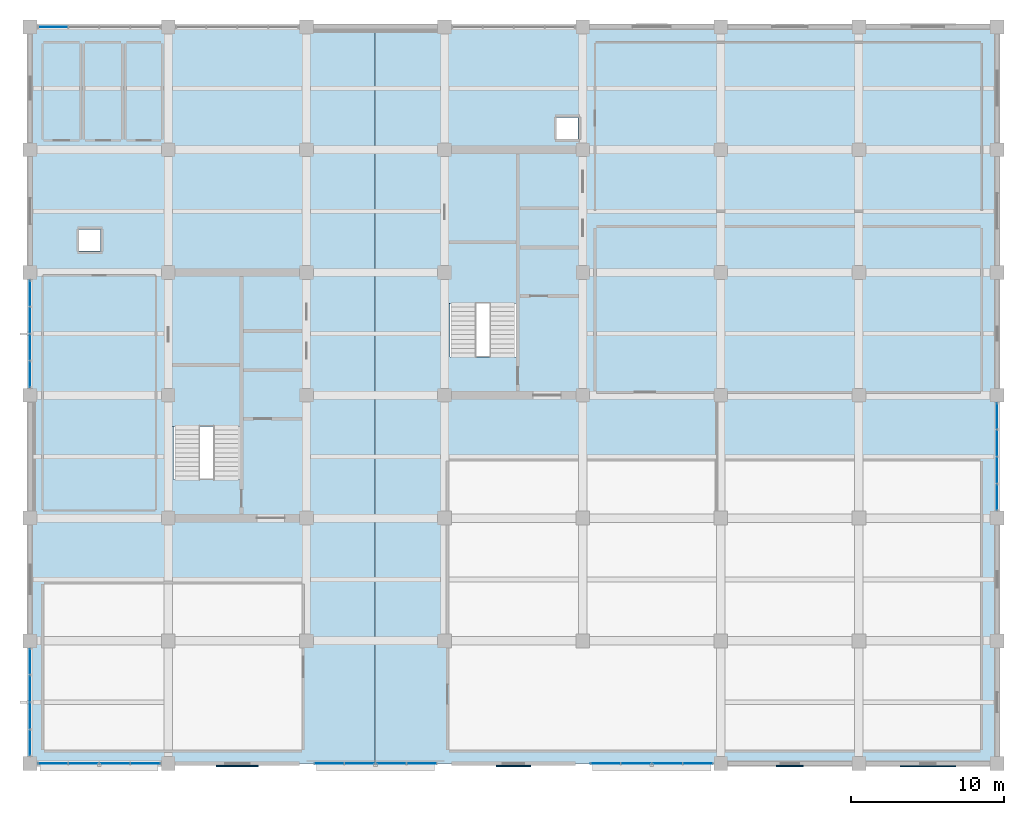
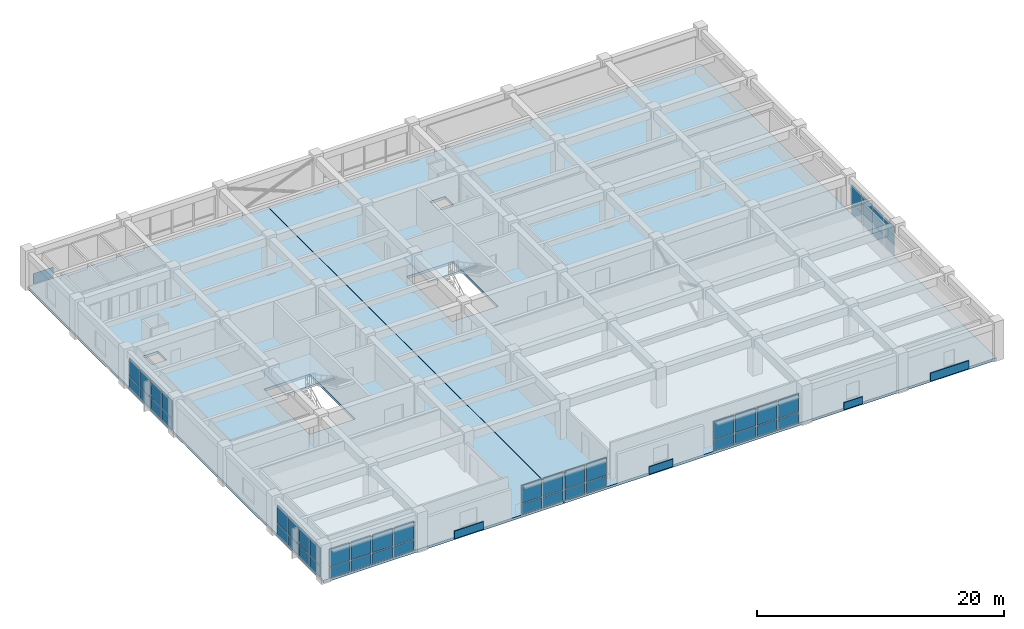
# One storey, part 11 of 16: 53 plates, 4 slabs, 9 elements without a shape of their own.
"""IFC4 building model written with IfcOpenShell, lengths in metres."""

import ifcopenshell
import ifcopenshell.guid

model = None  # the IFC model being written
_history = None  # IfcOwnerHistory: only IFC2X3 demands one
_inside = {}  # id of a spatial element -> (the spatial element, [elements in it])
_under = {}  # id of a project, library or spatial element -> (it, [spatial elements below it])
_declared = {}  # id of a project -> (the project, [libraries it declares])
_typed = {}  # id of a type object -> (the type object, [elements of that type])
_made_of = {}  # id of a material, layer set ... -> (it, [elements and type objects made of it])


def new_model(schema):
    """Start an empty IFC model of exactly this schema.

    Asked for "IFC4X3", IfcOpenShell would pick the latest addendum, in which some entities
    have other attributes; the version numbers below select the first issue.
    IFC2X3 requires an IfcOwnerHistory on every rooted entity: one is made here for all.
    """
    global model, _history
    if schema == "IFC4X3":
        model = ifcopenshell.file(schema_version=(4, 3, 0, 0))
    else:
        model = ifcopenshell.file(schema=schema)
    _inside.clear()
    _under.clear()
    _declared.clear()
    _typed.clear()
    _made_of.clear()
    _history = None
    if model.schema == "IFC2X3":
        org = make("IfcOrganization", Name="unknown")
        user = make(
            "IfcPersonAndOrganization",
            ThePerson=make("IfcPerson", FamilyName="unknown"),
            TheOrganization=org,
        )
        app = make(
            "IfcApplication",
            ApplicationDeveloper=org,
            Version="unknown",
            ApplicationFullName="unknown",
            ApplicationIdentifier="unknown",
        )
        _history = make(
            "IfcOwnerHistory",
            OwningUser=user,
            OwningApplication=app,
            ChangeAction="ADDED",
            CreationDate=0,
        )
    return model


def make(cls, **values):
    """One entity of the class cls with the attributes given. An attribute that is None is left unset."""
    return model.create_entity(
        cls, **{name: value for name, value in values.items() if value is not None}
    )


def rooted(cls, **values):
    """An entity with a GlobalId (a new one), such as an element, a storey or a relation."""
    return make(cls, GlobalId=ifcopenshell.guid.new(), OwnerHistory=_history, **values)


def si_unit(unit_type, name, prefix=None):
    """IfcSIUnit, for example si_unit("LENGTHUNIT", "METRE", prefix="MILLI")."""
    return make("IfcSIUnit", UnitType=unit_type, Prefix=prefix, Name=name)


def assignment(units):
    """IfcUnitAssignment: the units of a project."""
    return None if units is None else make("IfcUnitAssignment", Units=units)


def point(xyz):
    """IfcCartesianPoint."""
    return None if xyz is None else make("IfcCartesianPoint", Coordinates=xyz)


def direction(xyz):
    """IfcDirection."""
    return None if xyz is None else make("IfcDirection", DirectionRatios=xyz)


def frame(location, z_axis=None, x_axis=None):
    """IfcAxis2Placement3D, a coordinate frame: its origin and axes. An axis left out is left unset."""
    return make(
        "IfcAxis2Placement3D",
        Location=point(location),
        Axis=direction(z_axis),
        RefDirection=direction(x_axis),
    )


def frame_2d(location, x_axis=None):
    """IfcAxis2Placement2D, a coordinate frame in the plane: its origin and x axis."""
    return make(
        "IfcAxis2Placement2D", Location=point(location), RefDirection=direction(x_axis)
    )


def origin():
    """The frame at (0, 0, 0) with its axes left unset."""
    return frame((0.0, 0.0, 0.0))


def place(relative_to, where):
    """IfcLocalPlacement: puts the frame where relative to a parent placement (None: the world)."""
    return make(
        "IfcLocalPlacement", PlacementRelTo=relative_to, RelativePlacement=where
    )


def context(
    kind, dimensions, precision=None, world=None, true_north=None, identifier=None
):
    """IfcGeometricRepresentationContext, for example the 3D "Model" context."""
    return make(
        "IfcGeometricRepresentationContext",
        ContextIdentifier=identifier,
        ContextType=kind,
        CoordinateSpaceDimension=dimensions,
        Precision=precision,
        WorldCoordinateSystem=world,
        TrueNorth=true_north,
    )


def subcontext(parent, identifier, kind, view, scale=None):
    """IfcGeometricRepresentationSubContext, for example "Body" below "Model"."""
    return make(
        "IfcGeometricRepresentationSubContext",
        ContextIdentifier=identifier,
        ContextType=kind,
        ParentContext=parent,
        TargetScale=scale,
        TargetView=view,
    )


def project(units=None, contexts=None):
    """IfcProject with its units and contexts."""
    return rooted(
        "IfcProject",
        Name="project",
        RepresentationContexts=contexts,
        UnitsInContext=assignment(units),
    )


def spatial(cls, under=None, at=None, **own):
    """A site, building, storey or space (cls), placed at a placement, below another one or the project."""
    s = rooted(cls, ObjectPlacement=at, **own)
    if under is not None:
        _under.setdefault(under.id(), (under, []))[1].append(s)
    return s


def polyline(points):
    """IfcPolyline through the points."""
    return make("IfcPolyline", Points=[point(p) for p in points])


def profile(cls, at=None, kind="AREA", **sizes):
    """A parametric profile (cls). Its sizes go by their IFC names, for example OverallWidth=200.0."""
    return make(cls, ProfileType=kind, Position=at, **sizes)


def rectangle(**sizes):
    """IfcRectangleProfileDef."""
    return profile("IfcRectangleProfileDef", **sizes)


def outline(outer, holes=None, kind="AREA"):
    """IfcArbitraryClosedProfileDef: a profile drawn as a closed curve; with holes, ...WithVoids."""
    if holes is None:
        return make("IfcArbitraryClosedProfileDef", ProfileType=kind, OuterCurve=outer)
    return make(
        "IfcArbitraryProfileDefWithVoids",
        ProfileType=kind,
        OuterCurve=outer,
        InnerCurves=holes,
    )


def extrude(swept, where, along, depth):
    """IfcExtrudedAreaSolid: the profile swept, set in the frame where, extruded along a direction by depth."""
    return make(
        "IfcExtrudedAreaSolid",
        SweptArea=swept,
        Position=where,
        ExtrudedDirection=direction(along),
        Depth=depth,
    )


def shape(context_of_items, identifier, shape_type, items):
    """IfcShapeRepresentation: the items that make up one representation, for example the "Body"."""
    return make(
        "IfcShapeRepresentation",
        ContextOfItems=context_of_items,
        RepresentationIdentifier=identifier,
        RepresentationType=shape_type,
        Items=items,
    )


def material(Name=None, Category=None):
    """IfcMaterial."""
    return make("IfcMaterial", Name=Name, Category=Category)


def layer(
    of_material, thickness, ventilated=None, Name=None, Category=None, Priority=None
):
    """IfcMaterialLayer: one layer of a wall or slab, of a material (None: an air gap)."""
    return make(
        "IfcMaterialLayer",
        Material=of_material,
        LayerThickness=thickness,
        IsVentilated=ventilated,
        Name=Name,
        Category=Category,
        Priority=Priority,
    )


def layer_set(layers, Name=None):
    """IfcMaterialLayerSet."""
    return make("IfcMaterialLayerSet", MaterialLayers=layers, LayerSetName=Name)


def made_of(thing, what):
    """Note that an element or type object is made of a material, layer set ...; save() writes the relation."""
    if what is not None:
        _made_of.setdefault(what.id(), (what, []))[1].append(thing)
    return thing


def type_object(cls, material=None, **own):
    """A type object (cls), such as IfcWallType, which elements share."""
    return made_of(rooted(cls, **own), material)


def element(
    cls,
    number,
    at=None,
    inside=None,
    cuts=None,
    type_object=None,
    material=None,
    context=None,
    identifier="Body",
    shape_type=None,
    held_by="IfcProductDefinitionShape",
    body=None,
    shapes=None,
    **own,
):
    """One element of the class cls, such as IfcWall. Its Tag is "e" and its number.

    at: its placement. inside: the storey or other place that contains it. cuts: it is an
    opening in that element (IfcRelVoidsElement). A single representation is given by context,
    identifier, shape_type and body (its items); several are given by shapes. held_by: the class
    of the entity that holds the representations. save() writes the other relations.
    """
    e = rooted(cls, Tag="e%d" % number, ObjectPlacement=at, **own)
    if body is not None:
        shapes = [shape(context, identifier, shape_type, body)]
    if shapes is not None:
        e.Representation = make(held_by, Representations=shapes)
    if inside is not None:
        _inside.setdefault(inside.id(), (inside, []))[1].append(e)
    if cuts is not None:
        rooted(
            "IfcRelVoidsElement", RelatingBuildingElement=cuts, RelatedOpeningElement=e
        )
    if type_object is not None:
        _typed.setdefault(type_object.id(), (type_object, []))[1].append(e)
    return made_of(e, material)


def aggregate(whole, parts):
    """IfcRelAggregates: a whole, such as a stair, and the parts it consists of."""
    return rooted("IfcRelAggregates", RelatingObject=whole, RelatedObjects=parts)


def save(model, path):
    """Write the relations noted so far, then the file.

    IfcRelAggregates (storeys below a building ...), IfcRelContainedInSpatialStructure (elements
    in a storey), IfcRelDefinesByType, IfcRelAssociatesMaterial and IfcRelDeclares: one each for
    every whole, place, type object, material and project.
    """
    for whole, parts in _under.values():
        aggregate(whole, parts)
    for where, things in _inside.values():
        rooted(
            "IfcRelContainedInSpatialStructure",
            RelatedElements=things,
            RelatingStructure=where,
        )
    for kind, things in _typed.values():
        rooted("IfcRelDefinesByType", RelatedObjects=things, RelatingType=kind)
    for what, things in _made_of.values():
        rooted("IfcRelAssociatesMaterial", RelatedObjects=things, RelatingMaterial=what)
    for by, libraries in _declared.values():
        rooted("IfcRelDeclares", RelatingContext=by, RelatedDefinitions=libraries)
    model.write(path)


model = new_model("IFC4")

# Units and contexts
model_context = context("Model", 3, precision=1e-05, world=origin(), true_north=direction((0.0, 1.0)))
body_context = subcontext(model_context, "Body", "Model", "MODEL_VIEW")
ifc_project = project(units=[si_unit("LENGTHUNIT", "METRE"), si_unit("AREAUNIT", "SQUARE_METRE"), si_unit("VOLUMEUNIT", "CUBIC_METRE"), si_unit("PLANEANGLEUNIT", "RADIAN"), si_unit("MASSUNIT", "GRAM", prefix="KILO")], contexts=[model_context])

# Site, building, storey
site_placement = place(None, origin())
site = spatial("IfcSite", under=ifc_project, at=site_placement, CompositionType="ELEMENT")
building_placement = place(site_placement, origin())
building = spatial("IfcBuilding", under=site, at=building_placement, Name="Zaverband Oceanarium and Marine Research Institute", CompositionType="ELEMENT")
storey_placement = place(building_placement, frame((0.0, 0.0, 25.800048828125)))
storey = spatial("IfcBuildingStorey", under=building, at=storey_placement, Name="L06", CompositionType="ELEMENT", Elevation=25.800048828125)

# Curtain wall, plates
ifc_material_1 = material(Name="Thermally broken anodized aluminium and solar-control glass", Category="aluminium")
curtain_wall_type = type_object("IfcCurtainWallType", Name="CW-UNIT-1800", PredefinedType="NOTDEFINED", material=ifc_material_1)
curtain_wall_1_placement = place(storey_placement, origin())
curtain_wall_1 = element("IfcCurtainWall", 1, at=curtain_wall_1_placement, inside=storey, type_object=curtain_wall_type, Name="Unitised glazed curtain wall CW-082", PredefinedType="NOTDEFINED")
ifc_material_2 = material(Name="Low-E double-glazed solar-control glass", Category="glass")
ifc_layer_1 = layer(ifc_material_2, 0.033935546875, Name="Low-E double-glazed solar-control glass")
ifc_layer_set_1 = layer_set([ifc_layer_1], Name="Low-E double-glazed solar-control glass")
plate_type_1 = type_object("IfcPlateType", Name="CWP-1570x1043", PredefinedType="CURTAIN_PANEL", material=ifc_layer_set_1)
plate_1_placement = place(storey_placement, frame((9.0, 64.534912109375, 0.050048828125), z_axis=(0.0, 0.0, 1.0), x_axis=(0.0, 1.0, 0.0)))
plate_1 = element("IfcPlate", 2, at=plate_1_placement, type_object=plate_type_1, Name="Glazed curtain wall panel CWP-1570x1043", PredefinedType="CURTAIN_PANEL", context=body_context, shape_type="SweptSolid", body=[
    extrude(rectangle(XDim=1.612548828125, YDim=0.033935546875, at=frame_2d((0.80615234375, 0.0))), origin(), (0.0, 0.0, 1.0), 1.04296875),
])
plate_2_placement = place(storey_placement, frame((9.0, 66.3076171875, 0.050048828125), z_axis=(0.0, 0.0, 1.0), x_axis=(0.0, 1.0, 0.0)))
plate_2 = element("IfcPlate", 3, at=plate_2_placement, type_object=plate_type_1, Name="Glazed curtain wall panel CWP-1570x1043", PredefinedType="CURTAIN_PANEL", context=body_context, shape_type="SweptSolid", body=[
    extrude(rectangle(XDim=1.6123046875, YDim=0.033935546875, at=frame_2d((0.80615234375, 0.0))), origin(), (0.0, 0.0, 1.0), 1.04296875),
])
plate_3_placement = place(storey_placement, frame((9.0, 68.080078125, 0.050048828125), z_axis=(0.0, 0.0, 1.0), x_axis=(0.0, 1.0, 0.0)))
plate_3 = element("IfcPlate", 4, at=plate_3_placement, type_object=plate_type_1, Name="Glazed curtain wall panel CWP-1570x1043", PredefinedType="CURTAIN_PANEL", context=body_context, shape_type="SweptSolid", body=[
    extrude(rectangle(XDim=1.6123046875, YDim=0.033935546875, at=frame_2d((0.80615234375, 0.0))), origin(), (0.0, 0.0, 1.0), 1.04296875),
])
plate_4_placement = place(storey_placement, frame((9.0, 69.8525390625, 0.050048828125), z_axis=(0.0, 0.0, 1.0), x_axis=(0.0, 1.0, 0.0)))
plate_4 = element("IfcPlate", 5, at=plate_4_placement, type_object=plate_type_1, Name="Glazed curtain wall panel CWP-1570x1043", PredefinedType="CURTAIN_PANEL", context=body_context, shape_type="SweptSolid", body=[
    extrude(rectangle(XDim=1.612548828125, YDim=0.033935546875, at=frame_2d((0.80615234375, 0.0))), origin(), (0.0, 0.0, 1.0), 1.04296875),
])

curtain_wall_2_placement = place(storey_placement, origin())
curtain_wall_2 = element("IfcCurtainWall", 6, at=curtain_wall_2_placement, inside=storey, type_object=curtain_wall_type, Name="Unitised glazed curtain wall CW-083", PredefinedType="NOTDEFINED")
plate_5_placement = place(storey_placement, frame((9.0, 88.534912109375, 0.050048828125), z_axis=(0.0, 0.0, 1.0), x_axis=(0.0, 1.0, 0.0)))
plate_5 = element("IfcPlate", 7, at=plate_5_placement, type_object=plate_type_1, Name="Glazed curtain wall panel CWP-1570x1043", PredefinedType="CURTAIN_PANEL", context=body_context, shape_type="SweptSolid", body=[
    extrude(rectangle(XDim=1.612548828125, YDim=0.033935546875, at=frame_2d((0.80615234375, 0.0))), origin(), (0.0, 0.0, 1.0), 1.04296875),
])
plate_6_placement = place(storey_placement, frame((9.0, 90.3076171875, 0.050048828125), z_axis=(0.0, 0.0, 1.0), x_axis=(0.0, 1.0, 0.0)))
plate_6 = element("IfcPlate", 8, at=plate_6_placement, type_object=plate_type_1, Name="Glazed curtain wall panel CWP-1570x1043", PredefinedType="CURTAIN_PANEL", context=body_context, shape_type="SweptSolid", body=[
    extrude(rectangle(XDim=1.6123046875, YDim=0.033935546875, at=frame_2d((0.80615234375, 0.0))), origin(), (0.0, 0.0, 1.0), 1.04296875),
])
plate_7_placement = place(storey_placement, frame((9.0, 92.080078125, 0.050048828125), z_axis=(0.0, 0.0, 1.0), x_axis=(0.0, 1.0, 0.0)))
plate_7 = element("IfcPlate", 9, at=plate_7_placement, type_object=plate_type_1, Name="Glazed curtain wall panel CWP-1570x1043", PredefinedType="CURTAIN_PANEL", context=body_context, shape_type="SweptSolid", body=[
    extrude(rectangle(XDim=1.6123046875, YDim=0.033935546875, at=frame_2d((0.80615234375, 0.0))), origin(), (0.0, 0.0, 1.0), 1.04296875),
])
plate_8_placement = place(storey_placement, frame((9.0, 93.8525390625, 0.050048828125), z_axis=(0.0, 0.0, 1.0), x_axis=(0.0, 1.0, 0.0)))
plate_8 = element("IfcPlate", 10, at=plate_8_placement, type_object=plate_type_1, Name="Glazed curtain wall panel CWP-1570x1043", PredefinedType="CURTAIN_PANEL", context=body_context, shape_type="SweptSolid", body=[
    extrude(rectangle(XDim=1.612548828125, YDim=0.033935546875, at=frame_2d((0.80615234375, 0.0))), origin(), (0.0, 0.0, 1.0), 1.04296875),
])

curtain_wall_3_placement = place(storey_placement, origin())
curtain_wall_3 = element("IfcCurtainWall", 11, at=curtain_wall_3_placement, inside=storey, type_object=curtain_wall_type, Name="Unitised glazed curtain wall CW-084", PredefinedType="NOTDEFINED")
plate_9_placement = place(storey_placement, frame((72.0, 80.534912109375, 0.050048828125), z_axis=(0.0, 0.0, 1.0), x_axis=(0.0, 1.0, 0.0)))
plate_9 = element("IfcPlate", 12, at=plate_9_placement, type_object=plate_type_1, Name="Glazed curtain wall panel CWP-1570x1043", PredefinedType="CURTAIN_PANEL", context=body_context, shape_type="SweptSolid", body=[
    extrude(rectangle(XDim=1.612548828125, YDim=0.033935546875, at=frame_2d((0.80615234375, 0.0))), origin(), (0.0, 0.0, 1.0), 1.04296875),
])
plate_10_placement = place(storey_placement, frame((72.0, 82.3076171875, 0.050048828125), z_axis=(0.0, 0.0, 1.0), x_axis=(0.0, 1.0, 0.0)))
plate_10 = element("IfcPlate", 13, at=plate_10_placement, type_object=plate_type_1, Name="Glazed curtain wall panel CWP-1570x1043", PredefinedType="CURTAIN_PANEL", context=body_context, shape_type="SweptSolid", body=[
    extrude(rectangle(XDim=1.6123046875, YDim=0.033935546875, at=frame_2d((0.80615234375, 0.0))), origin(), (0.0, 0.0, 1.0), 1.04296875),
])
plate_11_placement = place(storey_placement, frame((72.0, 84.080078125, 0.050048828125), z_axis=(0.0, 0.0, 1.0), x_axis=(0.0, 1.0, 0.0)))
plate_11 = element("IfcPlate", 14, at=plate_11_placement, type_object=plate_type_1, Name="Glazed curtain wall panel CWP-1570x1043", PredefinedType="CURTAIN_PANEL", context=body_context, shape_type="SweptSolid", body=[
    extrude(rectangle(XDim=1.6123046875, YDim=0.033935546875, at=frame_2d((0.80615234375, 0.0))), origin(), (0.0, 0.0, 1.0), 1.04296875),
])
plate_12_placement = place(storey_placement, frame((72.0, 85.8525390625, 0.050048828125), z_axis=(0.0, 0.0, 1.0), x_axis=(0.0, 1.0, 0.0)))
plate_12 = element("IfcPlate", 15, at=plate_12_placement, type_object=plate_type_1, Name="Glazed curtain wall panel CWP-1570x1043", PredefinedType="CURTAIN_PANEL", context=body_context, shape_type="SweptSolid", body=[
    extrude(rectangle(XDim=1.612548828125, YDim=0.033935546875, at=frame_2d((0.80615234375, 0.0))), origin(), (0.0, 0.0, 1.0), 1.04296875),
])

# Plate
ifc_layer_2 = layer(ifc_material_2, 0.035888671875, Name="Low-E double-glazed solar-control glass")
ifc_layer_set_2 = layer_set([ifc_layer_2], Name="Low-E double-glazed solar-control glass")
plate_type_2 = type_object("IfcPlateType", Name="CWP-1570x1777", PredefinedType="CURTAIN_PANEL", material=ifc_layer_set_2)
plate_13_placement = place(storey_placement, frame((9.0, 64.534912109375, 1.162841796875), z_axis=(0.0, 0.0, 1.0), x_axis=(0.0, 1.0, 0.0)))
plate_13 = element("IfcPlate", 16, at=plate_13_placement, type_object=plate_type_2, Name="Glazed curtain wall panel CWP-1570x1777", PredefinedType="CURTAIN_PANEL", context=body_context, shape_type="SweptSolid", body=[
    extrude(rectangle(XDim=1.612548828125, YDim=0.035888671875, at=frame_2d((0.80615234375, 0.0))), origin(), (0.0, 0.0, 1.0), 1.777099609375),
])

plate_14_placement = place(storey_placement, frame((9.0, 66.3076171875, 1.162841796875), z_axis=(0.0, 0.0, 1.0), x_axis=(0.0, 1.0, 0.0)))
plate_14 = element("IfcPlate", 17, at=plate_14_placement, type_object=plate_type_2, Name="Glazed curtain wall panel CWP-1570x1777", PredefinedType="CURTAIN_PANEL", context=body_context, shape_type="SweptSolid", body=[
    extrude(rectangle(XDim=1.6123046875, YDim=0.035888671875, at=frame_2d((0.80615234375, 0.0))), origin(), (0.0, 0.0, 1.0), 1.777099609375),
])

plate_15_placement = place(storey_placement, frame((9.0, 68.080078125, 1.162841796875), z_axis=(0.0, 0.0, 1.0), x_axis=(0.0, 1.0, 0.0)))
plate_15 = element("IfcPlate", 18, at=plate_15_placement, type_object=plate_type_2, Name="Glazed curtain wall panel CWP-1570x1777", PredefinedType="CURTAIN_PANEL", context=body_context, shape_type="SweptSolid", body=[
    extrude(rectangle(XDim=1.6123046875, YDim=0.035888671875, at=frame_2d((0.80615234375, 0.0))), origin(), (0.0, 0.0, 1.0), 1.777099609375),
])

plate_16_placement = place(storey_placement, frame((9.0, 69.8525390625, 1.162841796875), z_axis=(0.0, 0.0, 1.0), x_axis=(0.0, 1.0, 0.0)))
plate_16 = element("IfcPlate", 19, at=plate_16_placement, type_object=plate_type_2, Name="Glazed curtain wall panel CWP-1570x1777", PredefinedType="CURTAIN_PANEL", context=body_context, shape_type="SweptSolid", body=[
    extrude(rectangle(XDim=1.612548828125, YDim=0.035888671875, at=frame_2d((0.80615234375, 0.0))), origin(), (0.0, 0.0, 1.0), 1.777099609375),
])

aggregate(curtain_wall_1, [plate_1, plate_13, plate_2, plate_14, plate_3, plate_15, plate_4, plate_16])

plate_17_placement = place(storey_placement, frame((9.0, 88.534912109375, 1.162841796875), z_axis=(0.0, 0.0, 1.0), x_axis=(0.0, 1.0, 0.0)))
plate_17 = element("IfcPlate", 20, at=plate_17_placement, type_object=plate_type_2, Name="Glazed curtain wall panel CWP-1570x1777", PredefinedType="CURTAIN_PANEL", context=body_context, shape_type="SweptSolid", body=[
    extrude(rectangle(XDim=1.612548828125, YDim=0.035888671875, at=frame_2d((0.80615234375, 0.0))), origin(), (0.0, 0.0, 1.0), 1.777099609375),
])

plate_18_placement = place(storey_placement, frame((9.0, 90.3076171875, 1.162841796875), z_axis=(0.0, 0.0, 1.0), x_axis=(0.0, 1.0, 0.0)))
plate_18 = element("IfcPlate", 21, at=plate_18_placement, type_object=plate_type_2, Name="Glazed curtain wall panel CWP-1570x1777", PredefinedType="CURTAIN_PANEL", context=body_context, shape_type="SweptSolid", body=[
    extrude(rectangle(XDim=1.6123046875, YDim=0.035888671875, at=frame_2d((0.80615234375, 0.0))), origin(), (0.0, 0.0, 1.0), 1.777099609375),
])

plate_19_placement = place(storey_placement, frame((9.0, 92.080078125, 1.162841796875), z_axis=(0.0, 0.0, 1.0), x_axis=(0.0, 1.0, 0.0)))
plate_19 = element("IfcPlate", 22, at=plate_19_placement, type_object=plate_type_2, Name="Glazed curtain wall panel CWP-1570x1777", PredefinedType="CURTAIN_PANEL", context=body_context, shape_type="SweptSolid", body=[
    extrude(rectangle(XDim=1.6123046875, YDim=0.035888671875, at=frame_2d((0.80615234375, 0.0))), origin(), (0.0, 0.0, 1.0), 1.777099609375),
])

plate_20_placement = place(storey_placement, frame((9.0, 93.8525390625, 1.162841796875), z_axis=(0.0, 0.0, 1.0), x_axis=(0.0, 1.0, 0.0)))
plate_20 = element("IfcPlate", 23, at=plate_20_placement, type_object=plate_type_2, Name="Glazed curtain wall panel CWP-1570x1777", PredefinedType="CURTAIN_PANEL", context=body_context, shape_type="SweptSolid", body=[
    extrude(rectangle(XDim=1.612548828125, YDim=0.035888671875, at=frame_2d((0.80615234375, 0.0))), origin(), (0.0, 0.0, 1.0), 1.777099609375),
])

aggregate(curtain_wall_2, [plate_5, plate_17, plate_6, plate_18, plate_7, plate_19, plate_8, plate_20])

plate_21_placement = place(storey_placement, frame((72.0, 80.534912109375, 1.162841796875), z_axis=(0.0, 0.0, 1.0), x_axis=(0.0, 1.0, 0.0)))
plate_21 = element("IfcPlate", 24, at=plate_21_placement, type_object=plate_type_2, Name="Glazed curtain wall panel CWP-1570x1777", PredefinedType="CURTAIN_PANEL", context=body_context, shape_type="SweptSolid", body=[
    extrude(rectangle(XDim=1.612548828125, YDim=0.035888671875, at=frame_2d((0.80615234375, 0.0))), origin(), (0.0, 0.0, 1.0), 1.777099609375),
])

plate_22_placement = place(storey_placement, frame((72.0, 82.3076171875, 1.162841796875), z_axis=(0.0, 0.0, 1.0), x_axis=(0.0, 1.0, 0.0)))
plate_22 = element("IfcPlate", 25, at=plate_22_placement, type_object=plate_type_2, Name="Glazed curtain wall panel CWP-1570x1777", PredefinedType="CURTAIN_PANEL", context=body_context, shape_type="SweptSolid", body=[
    extrude(rectangle(XDim=1.6123046875, YDim=0.035888671875, at=frame_2d((0.80615234375, 0.0))), origin(), (0.0, 0.0, 1.0), 1.777099609375),
])

plate_23_placement = place(storey_placement, frame((72.0, 84.080078125, 1.162841796875), z_axis=(0.0, 0.0, 1.0), x_axis=(0.0, 1.0, 0.0)))
plate_23 = element("IfcPlate", 26, at=plate_23_placement, type_object=plate_type_2, Name="Glazed curtain wall panel CWP-1570x1777", PredefinedType="CURTAIN_PANEL", context=body_context, shape_type="SweptSolid", body=[
    extrude(rectangle(XDim=1.6123046875, YDim=0.035888671875, at=frame_2d((0.80615234375, 0.0))), origin(), (0.0, 0.0, 1.0), 1.777099609375),
])

plate_24_placement = place(storey_placement, frame((72.0, 85.8525390625, 1.162841796875), z_axis=(0.0, 0.0, 1.0), x_axis=(0.0, 1.0, 0.0)))
plate_24 = element("IfcPlate", 27, at=plate_24_placement, type_object=plate_type_2, Name="Glazed curtain wall panel CWP-1570x1777", PredefinedType="CURTAIN_PANEL", context=body_context, shape_type="SweptSolid", body=[
    extrude(rectangle(XDim=1.612548828125, YDim=0.035888671875, at=frame_2d((0.80615234375, 0.0))), origin(), (0.0, 0.0, 1.0), 1.777099609375),
])

aggregate(curtain_wall_3, [plate_9, plate_21, plate_10, plate_22, plate_11, plate_23, plate_12, plate_24])

# Curtain wall, plates
curtain_wall_4_placement = place(storey_placement, origin())
curtain_wall_4 = element("IfcCurtainWall", 28, at=curtain_wall_4_placement, inside=storey, type_object=curtain_wall_type, Name="Unitised glazed curtain wall CW-076", PredefinedType="NOTDEFINED")
ifc_layer_3 = layer(ifc_material_2, 0.033935546875, Name="Low-E double-glazed solar-control glass")
ifc_layer_set_3 = layer_set([ifc_layer_3], Name="Low-E double-glazed solar-control glass")
plate_type_3 = type_object("IfcPlateType", Name="CWP-1820x1043", PredefinedType="CURTAIN_PANEL", material=ifc_layer_set_3)
plate_25_placement = place(storey_placement, frame((9.534912109375, 64.0, 0.050048828125), z_axis=(0.0, 0.0, 1.0), x_axis=(1.0, 0.0, 0.0)))
plate_25 = element("IfcPlate", 29, at=plate_25_placement, type_object=plate_type_3, Name="Glazed curtain wall panel CWP-1820x1043", PredefinedType="CURTAIN_PANEL", context=body_context, shape_type="SweptSolid", body=[
    extrude(rectangle(XDim=1.862548828125, YDim=0.033935546875, at=frame_2d((0.93115234375, 0.0))), origin(), (0.0, 0.0, 1.0), 1.04296875),
])
plate_26_placement = place(storey_placement, frame((11.5576171875, 64.0, 0.050048828125), z_axis=(0.0, 0.0, 1.0), x_axis=(1.0, 0.0, 0.0)))
plate_26 = element("IfcPlate", 30, at=plate_26_placement, type_object=plate_type_3, Name="Glazed curtain wall panel CWP-1820x1043", PredefinedType="CURTAIN_PANEL", context=body_context, shape_type="SweptSolid", body=[
    extrude(rectangle(XDim=1.8623046875, YDim=0.033935546875, at=frame_2d((0.93115234375, 0.0))), origin(), (0.0, 0.0, 1.0), 1.04296875),
])
plate_27_placement = place(storey_placement, frame((13.580078125, 64.0, 0.050048828125), z_axis=(0.0, 0.0, 1.0), x_axis=(1.0, 0.0, 0.0)))
plate_27 = element("IfcPlate", 31, at=plate_27_placement, type_object=plate_type_3, Name="Glazed curtain wall panel CWP-1820x1043", PredefinedType="CURTAIN_PANEL", context=body_context, shape_type="SweptSolid", body=[
    extrude(rectangle(XDim=1.8623046875, YDim=0.033935546875, at=frame_2d((0.93115234375, 0.0))), origin(), (0.0, 0.0, 1.0), 1.04296875),
])
plate_28_placement = place(storey_placement, frame((15.6025390625, 64.0, 0.050048828125), z_axis=(0.0, 0.0, 1.0), x_axis=(1.0, 0.0, 0.0)))
plate_28 = element("IfcPlate", 32, at=plate_28_placement, type_object=plate_type_3, Name="Glazed curtain wall panel CWP-1820x1043", PredefinedType="CURTAIN_PANEL", context=body_context, shape_type="SweptSolid", body=[
    extrude(rectangle(XDim=1.862548828125, YDim=0.033935546875, at=frame_2d((0.93115234375, 0.0))), origin(), (0.0, 0.0, 1.0), 1.04296875),
])

curtain_wall_5_placement = place(storey_placement, origin())
curtain_wall_5 = element("IfcCurtainWall", 33, at=curtain_wall_5_placement, inside=storey, type_object=curtain_wall_type, Name="Unitised glazed curtain wall CW-077", PredefinedType="NOTDEFINED")
plate_29_placement = place(storey_placement, frame((27.534912109375, 64.0, 0.050048828125), z_axis=(0.0, 0.0, 1.0), x_axis=(1.0, 0.0, 0.0)))
plate_29 = element("IfcPlate", 34, at=plate_29_placement, type_object=plate_type_3, Name="Glazed curtain wall panel CWP-1820x1043", PredefinedType="CURTAIN_PANEL", context=body_context, shape_type="SweptSolid", body=[
    extrude(rectangle(XDim=1.862548828125, YDim=0.033935546875, at=frame_2d((0.93115234375, 0.0))), origin(), (0.0, 0.0, 1.0), 1.04296875),
])
plate_30_placement = place(storey_placement, frame((29.5576171875, 64.0, 0.050048828125), z_axis=(0.0, 0.0, 1.0), x_axis=(1.0, 0.0, 0.0)))
plate_30 = element("IfcPlate", 35, at=plate_30_placement, type_object=plate_type_3, Name="Glazed curtain wall panel CWP-1820x1043", PredefinedType="CURTAIN_PANEL", context=body_context, shape_type="SweptSolid", body=[
    extrude(rectangle(XDim=1.8623046875, YDim=0.033935546875, at=frame_2d((0.93115234375, 0.0))), origin(), (0.0, 0.0, 1.0), 1.04296875),
])
plate_31_placement = place(storey_placement, frame((31.580078125, 64.0, 0.050048828125), z_axis=(0.0, 0.0, 1.0), x_axis=(1.0, 0.0, 0.0)))
plate_31 = element("IfcPlate", 36, at=plate_31_placement, type_object=plate_type_3, Name="Glazed curtain wall panel CWP-1820x1043", PredefinedType="CURTAIN_PANEL", context=body_context, shape_type="SweptSolid", body=[
    extrude(rectangle(XDim=1.8623046875, YDim=0.033935546875, at=frame_2d((0.93115234375, 0.0))), origin(), (0.0, 0.0, 1.0), 1.04296875),
])
plate_32_placement = place(storey_placement, frame((33.6025390625, 64.0, 0.050048828125), z_axis=(0.0, 0.0, 1.0), x_axis=(1.0, 0.0, 0.0)))
plate_32 = element("IfcPlate", 37, at=plate_32_placement, type_object=plate_type_3, Name="Glazed curtain wall panel CWP-1820x1043", PredefinedType="CURTAIN_PANEL", context=body_context, shape_type="SweptSolid", body=[
    extrude(rectangle(XDim=1.862548828125, YDim=0.033935546875, at=frame_2d((0.93115234375, 0.0))), origin(), (0.0, 0.0, 1.0), 1.04296875),
])

curtain_wall_6_placement = place(storey_placement, origin())
curtain_wall_6 = element("IfcCurtainWall", 38, at=curtain_wall_6_placement, inside=storey, type_object=curtain_wall_type, Name="Unitised glazed curtain wall CW-078", PredefinedType="NOTDEFINED")
plate_33_placement = place(storey_placement, frame((45.534912109375, 64.0, 0.050048828125), z_axis=(0.0, 0.0, 1.0), x_axis=(1.0, 0.0, 0.0)))
plate_33 = element("IfcPlate", 39, at=plate_33_placement, type_object=plate_type_3, Name="Glazed curtain wall panel CWP-1820x1043", PredefinedType="CURTAIN_PANEL", context=body_context, shape_type="SweptSolid", body=[
    extrude(rectangle(XDim=1.862548828125, YDim=0.033935546875, at=frame_2d((0.93115234375, 0.0))), origin(), (0.0, 0.0, 1.0), 1.04296875),
])
plate_34_placement = place(storey_placement, frame((47.5576171875, 64.0, 0.050048828125), z_axis=(0.0, 0.0, 1.0), x_axis=(1.0, 0.0, 0.0)))
plate_34 = element("IfcPlate", 40, at=plate_34_placement, type_object=plate_type_3, Name="Glazed curtain wall panel CWP-1820x1043", PredefinedType="CURTAIN_PANEL", context=body_context, shape_type="SweptSolid", body=[
    extrude(rectangle(XDim=1.8623046875, YDim=0.033935546875, at=frame_2d((0.93115234375, 0.0))), origin(), (0.0, 0.0, 1.0), 1.04296875),
])
plate_35_placement = place(storey_placement, frame((49.580078125, 64.0, 0.050048828125), z_axis=(0.0, 0.0, 1.0), x_axis=(1.0, 0.0, 0.0)))
plate_35 = element("IfcPlate", 41, at=plate_35_placement, type_object=plate_type_3, Name="Glazed curtain wall panel CWP-1820x1043", PredefinedType="CURTAIN_PANEL", context=body_context, shape_type="SweptSolid", body=[
    extrude(rectangle(XDim=1.8623046875, YDim=0.033935546875, at=frame_2d((0.93115234375, 0.0))), origin(), (0.0, 0.0, 1.0), 1.04296875),
])
plate_36_placement = place(storey_placement, frame((51.6025390625, 64.0, 0.050048828125), z_axis=(0.0, 0.0, 1.0), x_axis=(1.0, 0.0, 0.0)))
plate_36 = element("IfcPlate", 42, at=plate_36_placement, type_object=plate_type_3, Name="Glazed curtain wall panel CWP-1820x1043", PredefinedType="CURTAIN_PANEL", context=body_context, shape_type="SweptSolid", body=[
    extrude(rectangle(XDim=1.862548828125, YDim=0.033935546875, at=frame_2d((0.93115234375, 0.0))), origin(), (0.0, 0.0, 1.0), 1.04296875),
])

# Curtain wall, plate
curtain_wall_7_placement = place(storey_placement, origin())
curtain_wall_7 = element("IfcCurtainWall", 43, at=curtain_wall_7_placement, inside=storey, type_object=curtain_wall_type, Name="Unitised glazed curtain wall CW-079", PredefinedType="NOTDEFINED")
plate_37_placement = place(storey_placement, frame((9.534912109375, 112.0, 0.050048828125), z_axis=(0.0, 0.0, 1.0), x_axis=(1.0, 0.0, 0.0)))
plate_37 = element("IfcPlate", 44, at=plate_37_placement, type_object=plate_type_3, Name="Glazed curtain wall panel CWP-1820x1043", PredefinedType="CURTAIN_PANEL", context=body_context, shape_type="SweptSolid", body=[
    extrude(rectangle(XDim=1.862548828125, YDim=0.033935546875, at=frame_2d((0.93115234375, 0.0))), origin(), (0.0, 0.0, 1.0), 1.04296875),
])
aggregate(curtain_wall_7, [plate_37])

# Plate
ifc_layer_4 = layer(ifc_material_2, 0.035888671875, Name="Low-E double-glazed solar-control glass")
ifc_layer_set_4 = layer_set([ifc_layer_4], Name="Low-E double-glazed solar-control glass")
plate_type_4 = type_object("IfcPlateType", Name="CWP-1820x1777", PredefinedType="CURTAIN_PANEL", material=ifc_layer_set_4)
plate_38_placement = place(storey_placement, frame((9.534912109375, 64.0, 1.162841796875), z_axis=(0.0, 0.0, 1.0), x_axis=(1.0, 0.0, 0.0)))
plate_38 = element("IfcPlate", 45, at=plate_38_placement, type_object=plate_type_4, Name="Glazed curtain wall panel CWP-1820x1777", PredefinedType="CURTAIN_PANEL", context=body_context, shape_type="SweptSolid", body=[
    extrude(rectangle(XDim=1.862548828125, YDim=0.035888671875, at=frame_2d((0.93115234375, 0.0))), origin(), (0.0, 0.0, 1.0), 1.777099609375),
])

plate_39_placement = place(storey_placement, frame((11.5576171875, 64.0, 1.162841796875), z_axis=(0.0, 0.0, 1.0), x_axis=(1.0, 0.0, 0.0)))
plate_39 = element("IfcPlate", 46, at=plate_39_placement, type_object=plate_type_4, Name="Glazed curtain wall panel CWP-1820x1777", PredefinedType="CURTAIN_PANEL", context=body_context, shape_type="SweptSolid", body=[
    extrude(rectangle(XDim=1.8623046875, YDim=0.035888671875, at=frame_2d((0.93115234375, 0.0))), origin(), (0.0, 0.0, 1.0), 1.777099609375),
])

plate_40_placement = place(storey_placement, frame((13.580078125, 64.0, 1.162841796875), z_axis=(0.0, 0.0, 1.0), x_axis=(1.0, 0.0, 0.0)))
plate_40 = element("IfcPlate", 47, at=plate_40_placement, type_object=plate_type_4, Name="Glazed curtain wall panel CWP-1820x1777", PredefinedType="CURTAIN_PANEL", context=body_context, shape_type="SweptSolid", body=[
    extrude(rectangle(XDim=1.8623046875, YDim=0.035888671875, at=frame_2d((0.93115234375, 0.0))), origin(), (0.0, 0.0, 1.0), 1.777099609375),
])

plate_41_placement = place(storey_placement, frame((15.6025390625, 64.0, 1.162841796875), z_axis=(0.0, 0.0, 1.0), x_axis=(1.0, 0.0, 0.0)))
plate_41 = element("IfcPlate", 48, at=plate_41_placement, type_object=plate_type_4, Name="Glazed curtain wall panel CWP-1820x1777", PredefinedType="CURTAIN_PANEL", context=body_context, shape_type="SweptSolid", body=[
    extrude(rectangle(XDim=1.862548828125, YDim=0.035888671875, at=frame_2d((0.93115234375, 0.0))), origin(), (0.0, 0.0, 1.0), 1.777099609375),
])

aggregate(curtain_wall_4, [plate_25, plate_38, plate_26, plate_39, plate_27, plate_40, plate_28, plate_41])

plate_42_placement = place(storey_placement, frame((27.534912109375, 64.0, 1.162841796875), z_axis=(0.0, 0.0, 1.0), x_axis=(1.0, 0.0, 0.0)))
plate_42 = element("IfcPlate", 49, at=plate_42_placement, type_object=plate_type_4, Name="Glazed curtain wall panel CWP-1820x1777", PredefinedType="CURTAIN_PANEL", context=body_context, shape_type="SweptSolid", body=[
    extrude(rectangle(XDim=1.862548828125, YDim=0.035888671875, at=frame_2d((0.93115234375, 0.0))), origin(), (0.0, 0.0, 1.0), 1.777099609375),
])

plate_43_placement = place(storey_placement, frame((29.5576171875, 64.0, 1.162841796875), z_axis=(0.0, 0.0, 1.0), x_axis=(1.0, 0.0, 0.0)))
plate_43 = element("IfcPlate", 50, at=plate_43_placement, type_object=plate_type_4, Name="Glazed curtain wall panel CWP-1820x1777", PredefinedType="CURTAIN_PANEL", context=body_context, shape_type="SweptSolid", body=[
    extrude(rectangle(XDim=1.8623046875, YDim=0.035888671875, at=frame_2d((0.93115234375, 0.0))), origin(), (0.0, 0.0, 1.0), 1.777099609375),
])

plate_44_placement = place(storey_placement, frame((31.580078125, 64.0, 1.162841796875), z_axis=(0.0, 0.0, 1.0), x_axis=(1.0, 0.0, 0.0)))
plate_44 = element("IfcPlate", 51, at=plate_44_placement, type_object=plate_type_4, Name="Glazed curtain wall panel CWP-1820x1777", PredefinedType="CURTAIN_PANEL", context=body_context, shape_type="SweptSolid", body=[
    extrude(rectangle(XDim=1.8623046875, YDim=0.035888671875, at=frame_2d((0.93115234375, 0.0))), origin(), (0.0, 0.0, 1.0), 1.777099609375),
])

plate_45_placement = place(storey_placement, frame((33.6025390625, 64.0, 1.162841796875), z_axis=(0.0, 0.0, 1.0), x_axis=(1.0, 0.0, 0.0)))
plate_45 = element("IfcPlate", 52, at=plate_45_placement, type_object=plate_type_4, Name="Glazed curtain wall panel CWP-1820x1777", PredefinedType="CURTAIN_PANEL", context=body_context, shape_type="SweptSolid", body=[
    extrude(rectangle(XDim=1.862548828125, YDim=0.035888671875, at=frame_2d((0.93115234375, 0.0))), origin(), (0.0, 0.0, 1.0), 1.777099609375),
])

aggregate(curtain_wall_5, [plate_29, plate_42, plate_30, plate_43, plate_31, plate_44, plate_32, plate_45])

plate_46_placement = place(storey_placement, frame((45.534912109375, 64.0, 1.162841796875), z_axis=(0.0, 0.0, 1.0), x_axis=(1.0, 0.0, 0.0)))
plate_46 = element("IfcPlate", 53, at=plate_46_placement, type_object=plate_type_4, Name="Glazed curtain wall panel CWP-1820x1777", PredefinedType="CURTAIN_PANEL", context=body_context, shape_type="SweptSolid", body=[
    extrude(rectangle(XDim=1.862548828125, YDim=0.035888671875, at=frame_2d((0.93115234375, 0.0))), origin(), (0.0, 0.0, 1.0), 1.777099609375),
])

plate_47_placement = place(storey_placement, frame((47.5576171875, 64.0, 1.162841796875), z_axis=(0.0, 0.0, 1.0), x_axis=(1.0, 0.0, 0.0)))
plate_47 = element("IfcPlate", 54, at=plate_47_placement, type_object=plate_type_4, Name="Glazed curtain wall panel CWP-1820x1777", PredefinedType="CURTAIN_PANEL", context=body_context, shape_type="SweptSolid", body=[
    extrude(rectangle(XDim=1.8623046875, YDim=0.035888671875, at=frame_2d((0.93115234375, 0.0))), origin(), (0.0, 0.0, 1.0), 1.777099609375),
])

plate_48_placement = place(storey_placement, frame((49.580078125, 64.0, 1.162841796875), z_axis=(0.0, 0.0, 1.0), x_axis=(1.0, 0.0, 0.0)))
plate_48 = element("IfcPlate", 55, at=plate_48_placement, type_object=plate_type_4, Name="Glazed curtain wall panel CWP-1820x1777", PredefinedType="CURTAIN_PANEL", context=body_context, shape_type="SweptSolid", body=[
    extrude(rectangle(XDim=1.8623046875, YDim=0.035888671875, at=frame_2d((0.93115234375, 0.0))), origin(), (0.0, 0.0, 1.0), 1.777099609375),
])

plate_49_placement = place(storey_placement, frame((51.6025390625, 64.0, 1.162841796875), z_axis=(0.0, 0.0, 1.0), x_axis=(1.0, 0.0, 0.0)))
plate_49 = element("IfcPlate", 56, at=plate_49_placement, type_object=plate_type_4, Name="Glazed curtain wall panel CWP-1820x1777", PredefinedType="CURTAIN_PANEL", context=body_context, shape_type="SweptSolid", body=[
    extrude(rectangle(XDim=1.862548828125, YDim=0.035888671875, at=frame_2d((0.93115234375, 0.0))), origin(), (0.0, 0.0, 1.0), 1.777099609375),
])

aggregate(curtain_wall_6, [plate_33, plate_46, plate_34, plate_47, plate_35, plate_48, plate_36, plate_49])

# Plates
ifc_material_3 = material(Name="Concrete C40/50 precast ochre", Category="concrete")
ifc_layer_5 = layer(ifc_material_3, 0.070068359375, Name="Concrete C40/50 precast ochre")
ifc_layer_set_5 = layer_set([ifc_layer_5], Name="Concrete C40/50 precast ochre")
plate_type_5 = type_object("IfcPlateType", Name="FRP-1750x700", PredefinedType="USERDEFINED", material=ifc_layer_set_5)
plate_50_placement = place(storey_placement, frame((57.625, 63.847412109375, 0.0), z_axis=(0.0, 0.0, 1.0), x_axis=(1.0, 0.0, 0.0)))
element("IfcPlate", 57, at=plate_50_placement, inside=storey, type_object=plate_type_5, Name="Geometric precast facade cladding panel FRP-1750x700", ObjectType="FLANGE_PLATE", PredefinedType="USERDEFINED", context=body_context, shape_type="SweptSolid", body=[
    extrude(rectangle(XDim=1.75, YDim=0.070068359375, at=frame_2d((0.875, 0.0))), origin(), (0.0, 0.0, 1.0), 0.699951171875),
])
ifc_layer_6 = layer(ifc_material_3, 0.074951171875, Name="Concrete C40/50 precast ochre")
ifc_layer_set_6 = layer_set([ifc_layer_6], Name="Concrete C40/50 precast ochre")
plate_type_6 = type_object("IfcPlateType", Name="FRP-2250x740", PredefinedType="USERDEFINED", material=ifc_layer_set_6)
plate_51_placement = place(storey_placement, frame((39.375, 63.844970703125, 0.0), z_axis=(0.0, 0.0, 1.0), x_axis=(1.0, 0.0, 0.0)))
element("IfcPlate", 58, at=plate_51_placement, inside=storey, type_object=plate_type_6, Name="Geometric precast facade cladding panel FRP-2250x740", ObjectType="FLANGE_PLATE", PredefinedType="USERDEFINED", context=body_context, shape_type="SweptSolid", body=[
    extrude(rectangle(XDim=2.25, YDim=0.074951171875, at=frame_2d((1.125, 0.0))), origin(), (0.0, 0.0, 1.0), 0.739990234375),
])
ifc_layer_7 = layer(ifc_material_3, 0.080078125, Name="Concrete C40/50 precast ochre")
ifc_layer_set_7 = layer_set([ifc_layer_7], Name="Concrete C40/50 precast ochre")
plate_type_7 = type_object("IfcPlateType", Name="FRP-2750x760", PredefinedType="USERDEFINED", material=ifc_layer_set_7)
plate_52_placement = place(storey_placement, frame((21.125, 63.842529296875, 0.0), z_axis=(0.0, 0.0, 1.0), x_axis=(1.0, 0.0, 0.0)))
element("IfcPlate", 59, at=plate_52_placement, inside=storey, type_object=plate_type_7, Name="Geometric precast facade cladding panel FRP-2750x760", ObjectType="FLANGE_PLATE", PredefinedType="USERDEFINED", context=body_context, shape_type="SweptSolid", body=[
    extrude(rectangle(XDim=2.75, YDim=0.080078125, at=frame_2d((1.375, 0.0))), origin(), (0.0, 0.0, 1.0), 0.760009765625),
])
ifc_layer_8 = layer(ifc_material_3, 0.0849609375, Name="Concrete C40/50 precast ochre")
ifc_layer_set_8 = layer_set([ifc_layer_8], Name="Concrete C40/50 precast ochre")
plate_type_8 = type_object("IfcPlateType", Name="FRP-3600x800", PredefinedType="USERDEFINED", material=ifc_layer_set_8)
plate_53_placement = place(storey_placement, frame((65.699951171875, 63.827392578125, 0.0), z_axis=(0.0, 0.0, 1.0), x_axis=(1.0, 0.0, 0.0)))
element("IfcPlate", 60, at=plate_53_placement, inside=storey, type_object=plate_type_8, Name="Geometric precast facade cladding panel FRP-3600x800", ObjectType="FLANGE_PLATE", PredefinedType="USERDEFINED", context=body_context, shape_type="SweptSolid", body=[
    extrude(rectangle(XDim=3.60009765625, YDim=0.0849609375, at=frame_2d((1.800048828125, 0.0))), origin(), (0.0, 0.0, 1.0), 0.800048828125),
])

# Slabs
ifc_material_4 = material(Name="Concrete C40/50", Category="concrete")
ifc_layer_9 = layer(ifc_material_4, 0.25, Name="Concrete C40/50")
ifc_layer_set_9 = layer_set([ifc_layer_9], Name="Concrete C40/50")
slab_type_1 = type_object("IfcSlabType", Name="SLB-LAB-250", PredefinedType="FLOOR", material=ifc_layer_set_9)
slab_1_placement = place(storey_placement, frame((0.0, 0.0, -0.25)))
element("IfcSlab", 61, at=slab_1_placement, inside=storey, type_object=slab_type_1, Name="Suspended floor slab SLB-LAB-250", PredefinedType="FLOOR", context=body_context, shape_type="SweptSolid", body=[
    extrude(outline(polyline([(9.0, 112.0), (31.485107421875, 112.0), (31.485107421875, 64.0), (9.0, 64.0), (9.0, 112.0)]), holes=[polyline([(18.35009765625, 89.85009765625), (18.35009765625, 82.5), (22.64990234375, 82.5), (22.64990234375, 89.85009765625), (18.35009765625, 89.85009765625)]), polyline([(12.199951171875, 98.800048828125), (12.199951171875, 97.39990234375), (13.60009765625, 97.39990234375), (13.60009765625, 98.800048828125), (12.199951171875, 98.800048828125)])]), origin(), (0.0, 0.0, 1.0), 0.25),
])
slab_2_placement = place(storey_placement, frame((0.0, 0.0, -0.25)))
element("IfcSlab", 62, at=slab_2_placement, inside=storey, type_object=slab_type_1, Name="Suspended floor slab SLB-LAB-250", PredefinedType="FLOOR", context=body_context, shape_type="SweptSolid", body=[
    extrude(outline(polyline([(31.514892578125, 112.0), (72.0, 112.0), (72.0, 64.0), (31.514892578125, 64.0), (31.514892578125, 112.0)]), holes=[polyline([(36.35009765625, 97.85009765625), (36.35009765625, 90.5), (40.64990234375, 90.5), (40.64990234375, 97.85009765625), (36.35009765625, 97.85009765625)]), polyline([(43.300048828125, 106.10009765625), (43.300048828125, 104.699951171875), (44.699951171875, 104.699951171875), (44.699951171875, 106.10009765625), (43.300048828125, 106.10009765625)])]), origin(), (0.0, 0.0, 1.0), 0.25),
])

# Stair, slab
stair_type = type_object("IfcStairType", Name="STR-TWR-1650-3900", PredefinedType="HALF_TURN_STAIR", material=ifc_material_4)
stair_1_placement = place(storey_placement, origin())
stair_1 = element("IfcStair", 63, at=stair_1_placement, inside=storey, type_object=stair_type, Name="Exit Stair ST-01 (L06)", PredefinedType="HALF_TURN_STAIR")
ifc_layer_10 = layer(ifc_material_4, 0.199951171875, Name="Concrete C40/50")
ifc_layer_set_10 = layer_set([ifc_layer_10], Name="Concrete C40/50")
slab_type_2 = type_object("IfcSlabType", Name="SLB-LND-200", PredefinedType="LANDING", material=ifc_layer_set_10)
slab_3_placement = place(storey_placement, frame((0.0, 0.0, 1.75)))
slab_3 = element("IfcSlab", 64, at=slab_3_placement, type_object=slab_type_2, Name="Stair / ramp landing slab SLB-LND-200", PredefinedType="LANDING", context=body_context, shape_type="SweptSolid", body=[
    extrude(outline(polyline([(18.139892578125, 85.969970703125), (22.735107421875, 85.969970703125), (22.735107421875, 89.93505859375), (18.139892578125, 89.93505859375), (18.139892578125, 85.969970703125)])), origin(), (0.0, 0.0, 1.0), 0.199951171875),
])
aggregate(stair_1, [slab_3])

stair_2_placement = place(storey_placement, origin())
stair_2 = element("IfcStair", 65, at=stair_2_placement, inside=storey, type_object=stair_type, Name="Exit Stair ST-02 (L06)", PredefinedType="HALF_TURN_STAIR")
slab_4_placement = place(storey_placement, frame((0.0, 0.0, 1.75)))
slab_4 = element("IfcSlab", 66, at=slab_4_placement, type_object=slab_type_2, Name="Stair / ramp landing slab SLB-LND-200", PredefinedType="LANDING", context=body_context, shape_type="SweptSolid", body=[
    extrude(outline(polyline([(36.139892578125, 93.969970703125), (40.735107421875, 93.969970703125), (40.735107421875, 97.93505859375), (36.139892578125, 97.93505859375), (36.139892578125, 93.969970703125)])), origin(), (0.0, 0.0, 1.0), 0.199951171875),
])
aggregate(stair_2, [slab_4])

save(model, "model.ifc")
